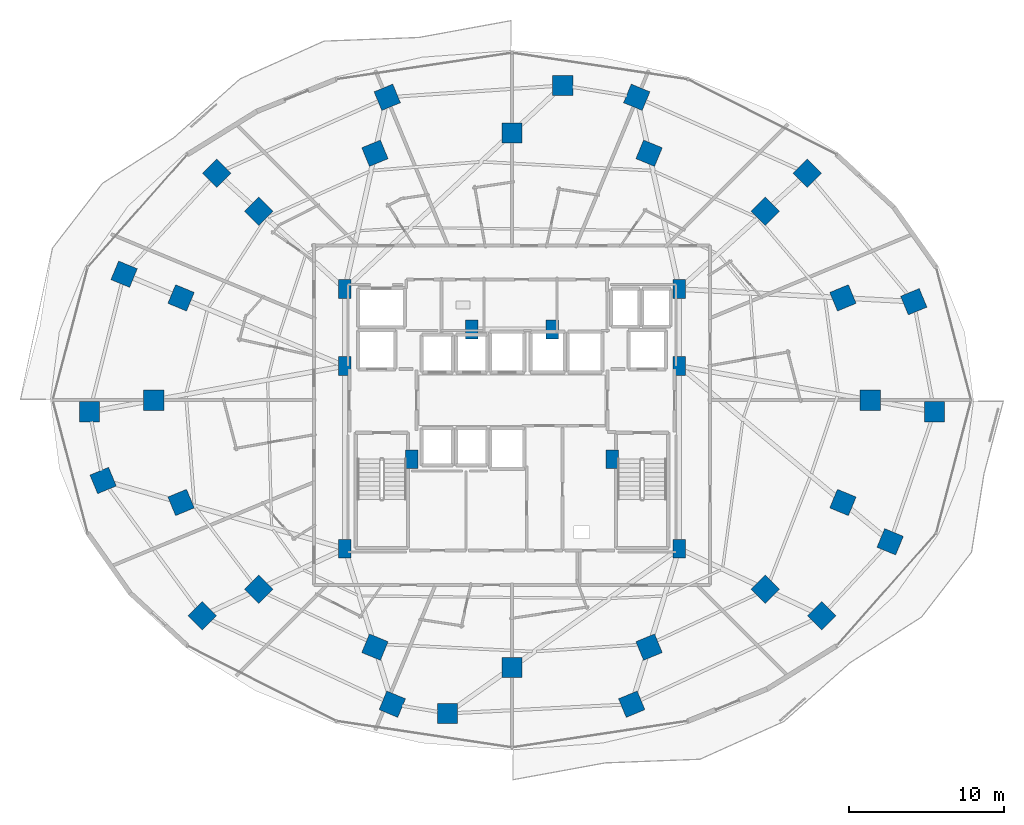
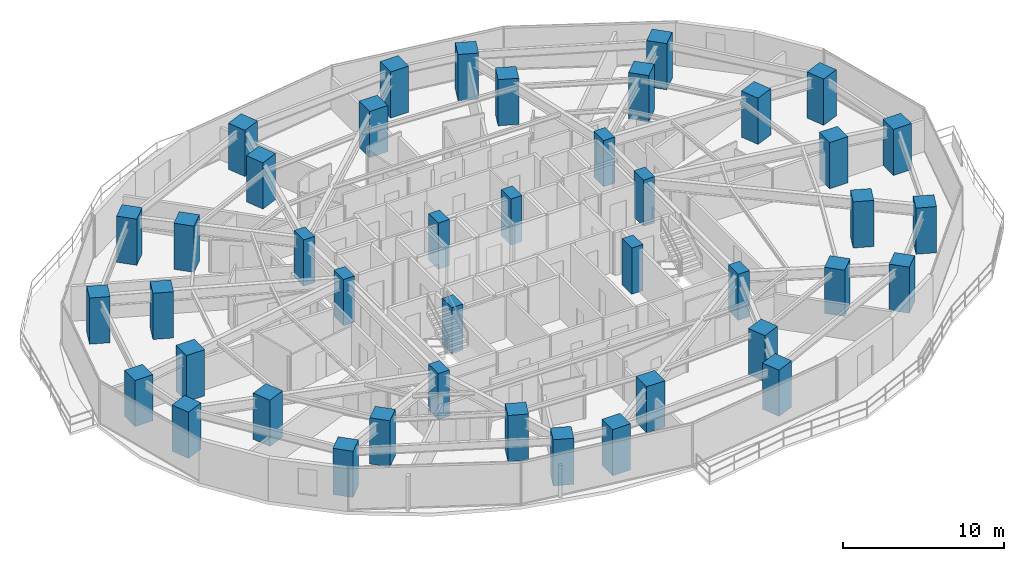
# One storey, part 1 of 34: 42 columns.
"""IFC4 building model written with IfcOpenShell, lengths in metres."""

from ifc_helpers import new_model, si_unit, direction, frame, origin, origin_2d, place, context, subcontext, project, spatial, rectangle, extrude, material, material_profile, profile_set, type_object, element, save


model = new_model("IFC4")

# Units and contexts
model_context = context("Model", 3, precision=1e-05, world=origin(), true_north=direction((0.0, 1.0)))
body_context = subcontext(model_context, "Body", "Model", "MODEL_VIEW")
ifc_project = project(units=[si_unit("LENGTHUNIT", "METRE"), si_unit("AREAUNIT", "SQUARE_METRE"), si_unit("VOLUMEUNIT", "CUBIC_METRE"), si_unit("PLANEANGLEUNIT", "RADIAN"), si_unit("MASSUNIT", "GRAM", prefix="KILO")], contexts=[model_context])

# Site, building, storey
site_placement = place(None, origin())
site = spatial("IfcSite", under=ifc_project, at=site_placement, CompositionType="ELEMENT")
building_placement = place(site_placement, origin())
building = spatial("IfcBuilding", under=site, at=building_placement, Name="Vorneva Point Tower", CompositionType="ELEMENT")
storey_placement = place(building_placement, frame((0.0, 0.0, 27.5)))
storey = spatial("IfcBuildingStorey", under=building, at=storey_placement, Name="L06", CompositionType="ELEMENT", Elevation=27.5)

# Columns
ifc_material = material(Name="Concrete B60 (C50/60)", Category="concrete")
ifc_material_profile_1 = material_profile(ifc_material, rectangle(XDim=1.300048828125, YDim=1.300048828125, at=origin_2d()), Name="RC-COL 1300x1300")
ifc_profile_set_1 = profile_set([ifc_material_profile_1], Name="Concrete B60 (C50/60)")
column_type_1 = type_object("IfcColumnType", Name="COL-RC1300", PredefinedType="COLUMN", material=ifc_profile_set_1)
for number, where, z_axis, x_axis, name in (
    (1, (61.050048828125, 26.0, 0.0), (0.0, 0.0, 1.0), (1.0, 0.0, 0.0), "L06 Perimeter Column P01"),
    (2, (59.29541015625, 32.582275390625, 0.0), (0.0, 0.0, 1.0), (0.923879532511, 0.382683432365, 0.0), "L06 Perimeter Column P02"),
    (3, (54.298828125, 38.162109375, 0.0), (0.0, 0.0, 1.0), (0.707106781187, 0.707106781187, 0.0), "L06 Perimeter Column P03"),
    (4, (46.82080078125, 41.890625, 0.0), (0.0, 0.0, 1.0), (0.382683432365, 0.923879532511, 0.0), "L06 Perimeter Column P04"),
    (5, (38.0, 43.199951171875, 0.0), (0.0, 0.0, 1.0), (0.0, 1.0, 0.0), "L06 Perimeter Column P05"),
    (6, (29.17919921875, 41.890625, 0.0), (0.0, 0.0, 1.0), (-0.382683432365, 0.923879532511, 0.0), "L06 Perimeter Column P06"),
    (7, (21.701171875, 38.162109375, 0.0), (0.0, 0.0, 1.0), (-0.707106781187, 0.707106781187, 0.0), "L06 Perimeter Column P07"),
    (8, (16.70458984375, 32.582275390625, 0.0), (0.0, 0.0, 1.0), (-0.923879532511, 0.382683432365, 0.0), "L06 Perimeter Column P08"),
    (9, (14.949951171875, 26.0, 0.0), (0.0, 0.0, 1.0), (-1.0, 0.0, 0.0), "L06 Perimeter Column P09"),
    (10, (16.70458984375, 19.417724609375, 0.0), (0.0, 0.0, 1.0), (-0.923879532511, -0.382683432365, 0.0), "L06 Perimeter Column P10"),
    (11, (21.701171875, 13.837890625, 0.0), (0.0, 0.0, 1.0), (-0.707106781187, -0.707106781187, 0.0), "L06 Perimeter Column P11"),
    (12, (29.17919921875, 10.109375, 0.0), (0.0, 0.0, 1.0), (-0.382683432365, -0.923879532511, 0.0), "L06 Perimeter Column P12"),
    (13, (38.0, 8.800048828125, 0.0), (0.0, 0.0, 1.0), (0.0, -1.0, 0.0), "L06 Perimeter Column P13"),
    (14, (46.82080078125, 10.109375, 0.0), (0.0, 0.0, 1.0), (0.382683432365, -0.923879532511, 0.0), "L06 Perimeter Column P14"),
    (15, (54.298828125, 13.837890625, 0.0), (0.0, 0.0, 1.0), (0.707106781187, -0.707106781187, 0.0), "L06 Perimeter Column P15"),
    (16, (59.29541015625, 19.417724609375, 0.0), (0.0, 0.0, 1.0), (0.923879532511, -0.382683432365, 0.0), "L06 Perimeter Column P16"),
    (17, (65.18212890625, 25.260986328125, 0.0), (0.0, 0.0, 1.0), (1.0, 0.0, 0.0), "L06 Outer Zone Column OP01"),
    (18, (63.8544921875, 32.336669921875, 0.0), (0.0, 0.0, 1.0), (0.923879532511, 0.382683432365, 0.0), "L06 Outer Zone Column OP02"),
    (19, (56.997314453125, 40.599853515625, 0.0), (0.0, 0.0, 1.0), (0.707106781187, 0.707106781187, 0.0), "L06 Outer Zone Column OP03"),
    (20, (46.026123046875, 45.49169921875, 0.0), (0.0, 0.0, 1.0), (0.382683432365, 0.923879532511, 0.0), "L06 Outer Zone Column OP04"),
    (21, (41.26513671875, 46.25244140625, 0.0), (0.0, 0.0, 1.0), (0.0, 1.0, 0.0), "L06 Outer Zone Column OP05"),
    (22, (29.973876953125, 45.49169921875, 0.0), (0.0, 0.0, 1.0), (-0.382683432365, 0.923879532511, 0.0), "L06 Outer Zone Column OP06"),
    (23, (19.002685546875, 40.599853515625, 0.0), (0.0, 0.0, 1.0), (-0.707106781187, 0.707106781187, 0.0), "L06 Outer Zone Column OP07"),
    (24, (13.0390625, 34.10546875, 0.0), (0.0, 0.0, 1.0), (-0.923879532511, 0.382683432365, 0.0), "L06 Outer Zone Column OP08"),
    (25, (10.81787109375, 25.260986328125, 0.0), (0.0, 0.0, 1.0), (-1.0, 0.0, 0.0), "L06 Outer Zone Column OP09"),
    (26, (11.68798828125, 20.82958984375, 0.0), (0.0, 0.0, 1.0), (-0.923879532511, -0.382683432365, 0.0), "L06 Outer Zone Column OP10"),
    (27, (18.061279296875, 12.124267578125, 0.0), (0.0, 0.0, 1.0), (-0.707106781187, -0.707106781187, 0.0), "L06 Outer Zone Column OP11"),
    (28, (30.296875, 6.435302734375, 0.0), (0.0, 0.0, 1.0), (-0.382683432365, -0.923879532511, 0.0), "L06 Outer Zone Column OP12"),
    (29, (33.84033203125, 5.83984375, 0.0), (0.0, 0.0, 1.0), (0.0, -1.0, 0.0), "L06 Outer Zone Column OP13"),
    (30, (45.703125, 6.435302734375, 0.0), (0.0, 0.0, 1.0), (0.382683432365, -0.923879532511, 0.0), "L06 Outer Zone Column OP14"),
    (31, (57.938720703125, 12.124267578125, 0.0), (0.0, 0.0, 1.0), (0.707106781187, -0.707106781187, 0.0), "L06 Outer Zone Column OP15"),
    (32, (62.3349609375, 16.886474609375, 0.0), (0.0, 0.0, 1.0), (0.923879532511, -0.382683432365, 0.0), "L06 Outer Zone Column OP16"),
):
    element("IfcColumn", number, at=place(storey_placement, frame(where, z_axis=z_axis, x_axis=x_axis)), inside=storey, type_object=column_type_1, Name=name, PredefinedType="COLUMN", context=body_context, shape_type="SweptSolid", body=[
        extrude(rectangle(XDim=1.300048828125, YDim=1.300048828125, at=origin_2d()), origin(), (0.0, 0.0, 1.0), 3.5),
    ])
ifc_material_profile_2 = material_profile(ifc_material, rectangle(XDim=0.800048828125, YDim=1.199951171875, at=origin_2d()), Name="RC-PIL 1200x800")
ifc_profile_set_2 = profile_set([ifc_material_profile_2], Name="Concrete B60 (C50/60)")
column_type_2 = type_object("IfcColumnType", Name="PIL-RC1200x800", PredefinedType="PILASTER", material=ifc_profile_set_2)
for number, where, z_axis, x_axis, name in (
    (33, (27.25, 16.449951171875, 0.0), (0.0, 0.0, 1.0), (1.0, 0.0, 0.0), "L06 Core Pilaster CP1"),
    (34, (27.25, 28.199951171875, 0.0), (0.0, 0.0, 1.0), (1.0, 0.0, 0.0), "L06 Core Pilaster CP2"),
    (35, (27.25, 33.14990234375, 0.0), (0.0, 0.0, 1.0), (1.0, 0.0, 0.0), "L06 Core Pilaster CP3"),
    (36, (31.550048828125, 22.199951171875, 0.0), (0.0, 0.0, 1.0), (1.0, 0.0, 0.0), "L06 Core Pilaster CP4"),
    (37, (48.75, 33.14990234375, 0.0), (0.0, 0.0, 1.0), (1.0, 0.0, 0.0), "L06 Core Pilaster CP5"),
    (38, (48.75, 28.199951171875, 0.0), (0.0, 0.0, 1.0), (1.0, 0.0, 0.0), "L06 Core Pilaster CP6"),
    (39, (48.75, 16.449951171875, 0.0), (0.0, 0.0, 1.0), (1.0, 0.0, 0.0), "L06 Core Pilaster CP7"),
    (40, (44.449951171875, 22.199951171875, 0.0), (0.0, 0.0, 1.0), (1.0, 0.0, 0.0), "L06 Core Pilaster CP8"),
    (41, (35.39990234375, 30.550048828125, 0.0), (0.0, 0.0, 1.0), (1.0, 0.0, 0.0), "L06 Core Pilaster CP9"),
    (42, (40.60009765625, 30.550048828125, 0.0), (0.0, 0.0, 1.0), (1.0, 0.0, 0.0), "L06 Core Pilaster CP10"),
):
    element("IfcColumn", number, at=place(storey_placement, frame(where, z_axis=z_axis, x_axis=x_axis)), inside=storey, type_object=column_type_2, Name=name, PredefinedType="PILASTER", context=body_context, shape_type="SweptSolid", body=[
        extrude(rectangle(XDim=0.800048828125, YDim=1.199951171875, at=origin_2d()), origin(), (0.0, 0.0, 1.0), 3.5),
    ])

save(model, "model.ifc")
